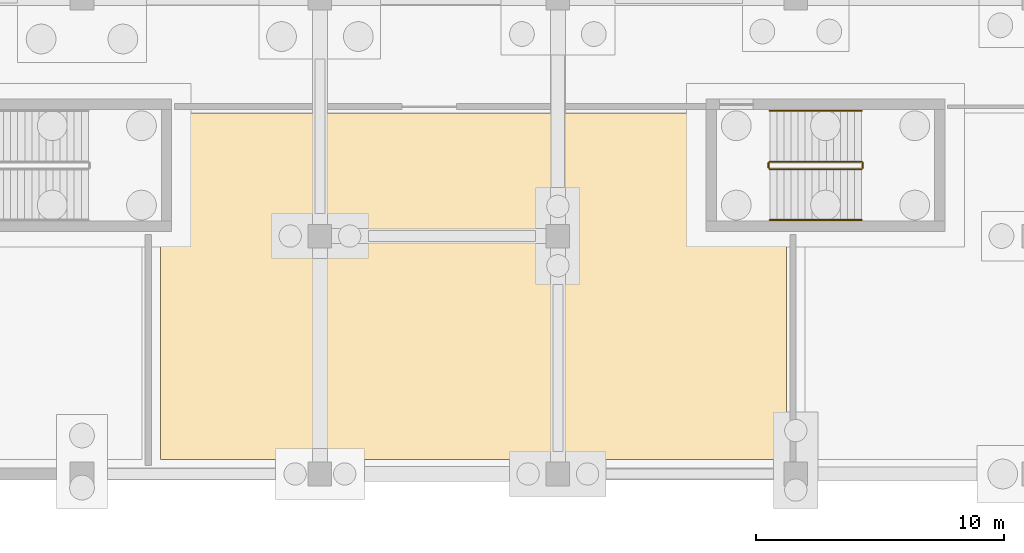
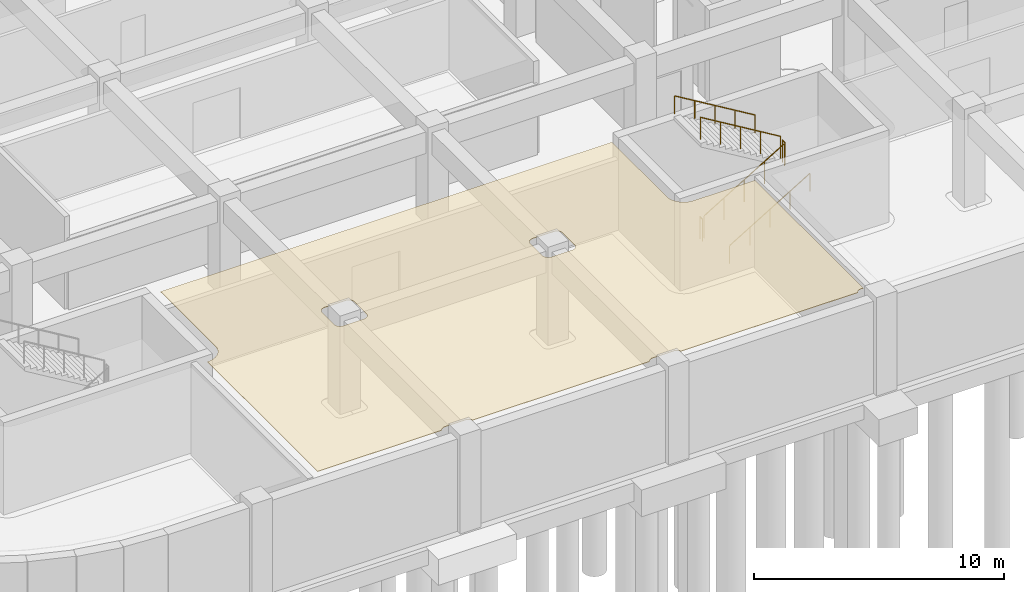
# One storey, part 24 of 47: 6 railings, 1 covering.
"""IFC4 building model written with IfcOpenShell, lengths in metres."""

from ifc_helpers import new_model, si_unit, direction, frame, origin, origin_2d, place, context, subcontext, project, spatial, polyline, circle, outline, extrude, material, layer, layer_set, type_object, element, save


model = new_model("IFC4")

# Units and contexts
model_context = context("Model", 3, precision=1e-05, world=origin(), true_north=direction((0.0, 1.0)))
body_context = subcontext(model_context, "Body", "Model", "MODEL_VIEW")
ifc_project = project(units=[si_unit("LENGTHUNIT", "METRE"), si_unit("AREAUNIT", "SQUARE_METRE"), si_unit("VOLUMEUNIT", "CUBIC_METRE"), si_unit("PLANEANGLEUNIT", "RADIAN"), si_unit("MASSUNIT", "GRAM", prefix="KILO")], contexts=[model_context])

# Site, building, storey
site_placement = place(None, origin())
site = spatial("IfcSite", under=ifc_project, at=site_placement, CompositionType="ELEMENT")
building_placement = place(site_placement, origin())
building = spatial("IfcBuilding", under=site, at=building_placement, Name="Cendralis Terraced Arcade", CompositionType="ELEMENT")
storey_placement = place(building_placement, frame((0.0, 0.0, -4.800048828125)))
storey = spatial("IfcBuildingStorey", under=building, at=storey_placement, Name="B1", CompositionType="ELEMENT", Elevation=-4.800048828125)

# Covering
ifc_material_1 = material(Name="Gypsum plasterboard acoustic partition")
ifc_layer = layer(ifc_material_1, 0.02490234375, Name="COV-CEIL-ACOU-25")
ifc_layer_set = layer_set([ifc_layer], Name="Gypsum plasterboard acoustic partition")
covering_type = type_object("IfcCoveringType", Name="COV-CEIL-ACOU-25", PredefinedType="CEILING", material=ifc_layer_set)
covering_placement = place(storey_placement, frame((0.0, 0.0, 4.47509765625)))
element("IfcCovering", 1, at=covering_placement, inside=storey, type_object=covering_type, Name="Acoustic Soffit Ceiling B1-002", PredefinedType="CEILING", context=body_context, shape_type="SweptSolid", body=[
    extrude(outline(polyline([(22.39990234375, 9.409912109375), (22.406005859375, 9.41015625), (22.412109375, 9.41015625), (22.418212890625, 9.410400390625), (22.459228515625, 9.41259765625), (22.4716796875, 9.413330078125), (22.4833984375, 9.41455078125), (22.49560546875, 9.416015625), (22.5361328125, 9.422119140625), (22.54833984375, 9.42431640625), (22.559814453125, 9.426513671875), (22.57177734375, 9.42919921875), (22.61181640625, 9.439208984375), (22.62353515625, 9.4423828125), (22.635009765625, 9.44580078125), (22.646484375, 9.44970703125), (22.685302734375, 9.463623046875), (22.69677734375, 9.468017578125), (22.707763671875, 9.472412109375), (22.718994140625, 9.4775390625), (22.756103515625, 9.4951171875), (22.76708984375, 9.50048828125), (22.777587890625, 9.506103515625), (22.7880859375, 9.51220703125), (22.823486328125, 9.533447265625), (22.833984375, 9.5400390625), (22.84375, 9.54638671875), (22.853759765625, 9.5537109375), (22.886962890625, 9.578125), (22.896484375, 9.585693359375), (22.905517578125, 9.59326171875), (22.914794921875, 9.601318359375), (22.945556640625, 9.62890625), (22.954345703125, 9.63720703125), (22.962646484375, 9.645751953125), (22.97119140625, 9.654541015625), (22.998779296875, 9.68505859375), (23.0068359375, 9.6943359375), (23.014404296875, 9.70361328125), (23.02197265625, 9.713134765625), (23.04638671875, 9.746337890625), (23.053466796875, 9.75634765625), (23.06005859375, 9.76611328125), (23.066650390625, 9.7763671875), (23.087890625, 9.811767578125), (23.09375, 9.822509765625), (23.099365234375, 9.8330078125), (23.10498046875, 9.84375), (23.12255859375, 9.881103515625), (23.12744140625, 9.892333984375), (23.132080078125, 9.9033203125), (23.136474609375, 9.91455078125), (23.150390625, 9.953369140625), (23.154052734375, 9.965087890625), (23.15771484375, 9.976318359375), (23.160888671875, 9.98828125), (23.1708984375, 10.0283203125), (23.173583984375, 10.0400390625), (23.17578125, 10.0517578125), (23.177978515625, 10.063720703125), (23.18408203125, 10.1044921875), (23.185546875, 10.11669921875), (23.1865234375, 10.12841796875), (23.1875, 10.140625), (23.189697265625, 10.181884765625), (23.189697265625, 10.18798828125), (23.18994140625, 10.19384765625), (23.18994140625, 10.199951171875), (23.18994140625, 14.570068359375), (44.010009765625, 14.570068359375), (44.010009765625, 10.199951171875), (44.010009765625, 10.19384765625), (44.01025390625, 10.18798828125), (44.010498046875, 10.181884765625), (44.012451171875, 10.140625), (44.013427734375, 10.12841796875), (44.014404296875, 10.11669921875), (44.01611328125, 10.1044921875), (44.022216796875, 10.063720703125), (44.024169921875, 10.0517578125), (44.026611328125, 10.0400390625), (44.029296875, 10.0283203125), (44.039306640625, 9.98828125), (44.04248046875, 9.976318359375), (44.0458984375, 9.965087890625), (44.0498046875, 9.953369140625), (44.063720703125, 9.91455078125), (44.068115234375, 9.9033203125), (44.072509765625, 9.892333984375), (44.077392578125, 9.881103515625), (44.09521484375, 9.84375), (44.1005859375, 9.8330078125), (44.106201171875, 9.822509765625), (44.1123046875, 9.811767578125), (44.13330078125, 9.7763671875), (44.139892578125, 9.76611328125), (44.146484375, 9.75634765625), (44.153564453125, 9.746337890625), (44.177978515625, 9.713134765625), (44.185791015625, 9.70361328125), (44.193115234375, 9.6943359375), (44.201171875, 9.68505859375), (44.22900390625, 9.654541015625), (44.2373046875, 9.645751953125), (44.24560546875, 9.63720703125), (44.25439453125, 9.62890625), (44.28515625, 9.601318359375), (44.29443359375, 9.59326171875), (44.303466796875, 9.585693359375), (44.31298828125, 9.578125), (44.34619140625, 9.5537109375), (44.356201171875, 9.54638671875), (44.3662109375, 9.5400390625), (44.37646484375, 9.533447265625), (44.411865234375, 9.51220703125), (44.422607421875, 9.506103515625), (44.432861328125, 9.50048828125), (44.44384765625, 9.4951171875), (44.481201171875, 9.4775390625), (44.4921875, 9.472412109375), (44.503173828125, 9.468017578125), (44.5146484375, 9.463623046875), (44.553466796875, 9.44970703125), (44.565185546875, 9.44580078125), (44.576416015625, 9.4423828125), (44.588134765625, 9.439208984375), (44.628173828125, 9.42919921875), (44.64013671875, 9.426513671875), (44.651611328125, 9.42431640625), (44.663818359375, 9.422119140625), (44.70458984375, 9.416015625), (44.716796875, 9.41455078125), (44.728515625, 9.413330078125), (44.74072265625, 9.41259765625), (44.78173828125, 9.410400390625), (44.7880859375, 9.41015625), (44.7939453125, 9.41015625), (44.800048828125, 9.409912109375), (47.6298828125, 9.409912109375), (47.6298828125, 0.7451171875), (47.52490234375, 0.7451171875), (47.5126953125, 0.74462890625), (47.5107421875, 0.74462890625), (47.486328125, 0.7421875), (47.484375, 0.741943359375), (47.46044921875, 0.737060546875), (47.45849609375, 0.736572265625), (47.43505859375, 0.7294921875), (47.43310546875, 0.72900390625), (47.410400390625, 0.719482421875), (47.40869140625, 0.718505859375), (47.386962890625, 0.70703125), (47.385498046875, 0.7060546875), (47.364990234375, 0.6923828125), (47.36328125, 0.69140625), (47.344482421875, 0.67578125), (47.343017578125, 0.67431640625), (47.32568359375, 0.656982421875), (47.32421875, 0.655517578125), (47.30859375, 0.63671875), (47.3076171875, 0.635009765625), (47.2939453125, 0.614501953125), (47.29296875, 0.613037109375), (47.281494140625, 0.59130859375), (47.28076171875, 0.590087890625), (39.119384765625, 0.590087890625), (39.11865234375, 0.59130859375), (39.107177734375, 0.613037109375), (39.106201171875, 0.614501953125), (39.09228515625, 0.635009765625), (39.09130859375, 0.63671875), (39.07568359375, 0.655517578125), (39.074462890625, 0.656982421875), (39.056884765625, 0.67431640625), (39.0556640625, 0.67578125), (39.03662109375, 0.69140625), (39.034912109375, 0.6923828125), (39.0146484375, 0.7060546875), (39.012939453125, 0.70703125), (38.9912109375, 0.718505859375), (38.989501953125, 0.719482421875), (38.966796875, 0.72900390625), (38.965087890625, 0.7294921875), (38.941650390625, 0.736572265625), (38.939697265625, 0.737060546875), (38.91552734375, 0.741943359375), (38.91357421875, 0.7421875), (38.88916015625, 0.74462890625), (38.88720703125, 0.74462890625), (38.875, 0.7451171875), (37.925048828125, 0.7451171875), (37.91259765625, 0.74462890625), (37.910888671875, 0.74462890625), (37.886474609375, 0.7421875), (37.884521484375, 0.741943359375), (37.8603515625, 0.737060546875), (37.8583984375, 0.736572265625), (37.8349609375, 0.7294921875), (37.8330078125, 0.72900390625), (37.810546875, 0.719482421875), (37.80859375, 0.718505859375), (37.787109375, 0.70703125), (37.785400390625, 0.7060546875), (37.764892578125, 0.6923828125), (37.763427734375, 0.69140625), (37.744384765625, 0.67578125), (37.742919921875, 0.67431640625), (37.7255859375, 0.656982421875), (37.724365234375, 0.655517578125), (37.708740234375, 0.63671875), (37.70751953125, 0.635009765625), (37.69384765625, 0.614501953125), (37.69287109375, 0.613037109375), (37.681396484375, 0.59130859375), (37.6806640625, 0.590087890625), (29.519287109375, 0.590087890625), (29.5185546875, 0.59130859375), (29.507080078125, 0.613037109375), (29.506103515625, 0.614501953125), (29.492431640625, 0.635009765625), (29.4912109375, 0.63671875), (29.4755859375, 0.655517578125), (29.474365234375, 0.656982421875), (29.45703125, 0.67431640625), (29.45556640625, 0.67578125), (29.4365234375, 0.69140625), (29.43505859375, 0.6923828125), (29.41455078125, 0.7060546875), (29.4130859375, 0.70703125), (29.391357421875, 0.718505859375), (29.389404296875, 0.719482421875), (29.366943359375, 0.72900390625), (29.364990234375, 0.7294921875), (29.341552734375, 0.736572265625), (29.339599609375, 0.737060546875), (29.315673828125, 0.741943359375), (29.313720703125, 0.7421875), (29.289306640625, 0.74462890625), (29.287353515625, 0.74462890625), (29.27490234375, 0.7451171875), (28.324951171875, 0.7451171875), (28.312744140625, 0.74462890625), (28.310791015625, 0.74462890625), (28.286376953125, 0.7421875), (28.284423828125, 0.741943359375), (28.260498046875, 0.737060546875), (28.25830078125, 0.736572265625), (28.235107421875, 0.7294921875), (28.233154296875, 0.72900390625), (28.21044921875, 0.719482421875), (28.208740234375, 0.718505859375), (28.18701171875, 0.70703125), (28.185302734375, 0.7060546875), (28.1650390625, 0.6923828125), (28.163330078125, 0.69140625), (28.144287109375, 0.67578125), (28.14306640625, 0.67431640625), (28.12548828125, 0.656982421875), (28.124267578125, 0.655517578125), (28.108642578125, 0.63671875), (28.107666015625, 0.635009765625), (28.093994140625, 0.614501953125), (28.093017578125, 0.613037109375), (28.081298828125, 0.59130859375), (28.080810546875, 0.590087890625), (22.3701171875, 0.590087890625), (22.3701171875, 9.409912109375), (22.39990234375, 9.409912109375)]), holes=[polyline([(37.80859375, 8.88134765625), (37.810546875, 8.880615234375), (37.8330078125, 8.87109375), (37.8349609375, 8.87060546875), (37.8583984375, 8.86328125), (37.8603515625, 8.86279296875), (37.884521484375, 8.858154296875), (37.886474609375, 8.85791015625), (37.910888671875, 8.85546875), (37.91259765625, 8.855224609375), (37.925048828125, 8.85498046875), (38.875, 8.85498046875), (38.88720703125, 8.855224609375), (38.88916015625, 8.85546875), (38.91357421875, 8.85791015625), (38.91552734375, 8.858154296875), (38.939697265625, 8.86279296875), (38.941650390625, 8.86328125), (38.965087890625, 8.87060546875), (38.966796875, 8.87109375), (38.989501953125, 8.880615234375), (38.9912109375, 8.88134765625), (39.012939453125, 8.892822265625), (39.0146484375, 8.893798828125), (39.034912109375, 8.90771484375), (39.03662109375, 8.90869140625), (39.0556640625, 8.92431640625), (39.056884765625, 8.925537109375), (39.074462890625, 8.943115234375), (39.07568359375, 8.9443359375), (39.09130859375, 8.96337890625), (39.09228515625, 8.965087890625), (39.106201171875, 8.9853515625), (39.107177734375, 8.987060546875), (39.11865234375, 9.0087890625), (39.119384765625, 9.010498046875), (39.12890625, 9.033203125), (39.12939453125, 9.034912109375), (39.13671875, 9.058349609375), (39.13720703125, 9.060302734375), (39.141845703125, 9.08447265625), (39.14208984375, 9.08642578125), (39.14453125, 9.11083984375), (39.144775390625, 9.11279296875), (39.14501953125, 9.125), (39.14501953125, 10.074951171875), (39.144775390625, 10.08740234375), (39.14453125, 10.089111328125), (39.14208984375, 10.113525390625), (39.141845703125, 10.115478515625), (39.13720703125, 10.1396484375), (39.13671875, 10.1416015625), (39.12939453125, 10.1650390625), (39.12890625, 10.1669921875), (39.119384765625, 10.189453125), (39.11865234375, 10.19140625), (39.107177734375, 10.212890625), (39.106201171875, 10.214599609375), (39.09228515625, 10.235107421875), (39.09130859375, 10.236572265625), (39.07568359375, 10.255615234375), (39.074462890625, 10.257080078125), (39.056884765625, 10.2744140625), (39.0556640625, 10.275634765625), (39.03662109375, 10.291259765625), (39.034912109375, 10.29248046875), (39.0146484375, 10.30615234375), (39.012939453125, 10.30712890625), (38.9912109375, 10.318603515625), (38.989501953125, 10.319580078125), (38.966796875, 10.328857421875), (38.965087890625, 10.32958984375), (38.941650390625, 10.336669921875), (38.939697265625, 10.337158203125), (38.91552734375, 10.341796875), (38.91357421875, 10.34228515625), (38.88916015625, 10.344482421875), (38.88720703125, 10.3447265625), (38.875, 10.344970703125), (37.925048828125, 10.344970703125), (37.91259765625, 10.3447265625), (37.910888671875, 10.344482421875), (37.886474609375, 10.34228515625), (37.884521484375, 10.341796875), (37.8603515625, 10.337158203125), (37.8583984375, 10.336669921875), (37.8349609375, 10.32958984375), (37.8330078125, 10.328857421875), (37.810546875, 10.319580078125), (37.80859375, 10.318603515625), (37.787109375, 10.30712890625), (37.785400390625, 10.30615234375), (37.764892578125, 10.29248046875), (37.763427734375, 10.291259765625), (37.744384765625, 10.275634765625), (37.742919921875, 10.2744140625), (37.7255859375, 10.257080078125), (37.724365234375, 10.255615234375), (37.708740234375, 10.236572265625), (37.70751953125, 10.235107421875), (37.69384765625, 10.214599609375), (37.69287109375, 10.212890625), (37.681396484375, 10.19140625), (37.680419921875, 10.189453125), (37.671142578125, 10.1669921875), (37.67041015625, 10.1650390625), (37.663330078125, 10.1416015625), (37.662841796875, 10.1396484375), (37.658203125, 10.115478515625), (37.65771484375, 10.113525390625), (37.655517578125, 10.089111328125), (37.6552734375, 10.08740234375), (37.655029296875, 10.074951171875), (37.655029296875, 9.125), (37.6552734375, 9.11279296875), (37.655517578125, 9.11083984375), (37.65771484375, 9.08642578125), (37.658203125, 9.08447265625), (37.662841796875, 9.060302734375), (37.663330078125, 9.058349609375), (37.67041015625, 9.034912109375), (37.671142578125, 9.033203125), (37.680419921875, 9.010498046875), (37.681396484375, 9.0087890625), (37.69287109375, 8.987060546875), (37.69384765625, 8.9853515625), (37.70751953125, 8.965087890625), (37.708740234375, 8.96337890625), (37.724365234375, 8.9443359375), (37.7255859375, 8.943115234375), (37.742919921875, 8.925537109375), (37.744384765625, 8.92431640625), (37.763427734375, 8.90869140625), (37.764892578125, 8.90771484375), (37.785400390625, 8.893798828125), (37.787109375, 8.892822265625), (37.80859375, 8.88134765625)]), polyline([(28.208740234375, 8.88134765625), (28.21044921875, 8.880615234375), (28.233154296875, 8.87109375), (28.235107421875, 8.87060546875), (28.25830078125, 8.86328125), (28.260498046875, 8.86279296875), (28.284423828125, 8.858154296875), (28.286376953125, 8.85791015625), (28.310791015625, 8.85546875), (28.312744140625, 8.855224609375), (28.324951171875, 8.85498046875), (29.27490234375, 8.85498046875), (29.287353515625, 8.855224609375), (29.289306640625, 8.85546875), (29.313720703125, 8.85791015625), (29.315673828125, 8.858154296875), (29.339599609375, 8.86279296875), (29.341552734375, 8.86328125), (29.364990234375, 8.87060546875), (29.366943359375, 8.87109375), (29.389404296875, 8.880615234375), (29.391357421875, 8.88134765625), (29.4130859375, 8.892822265625), (29.41455078125, 8.893798828125), (29.43505859375, 8.90771484375), (29.4365234375, 8.90869140625), (29.45556640625, 8.92431640625), (29.45703125, 8.925537109375), (29.474365234375, 8.943115234375), (29.4755859375, 8.9443359375), (29.4912109375, 8.96337890625), (29.492431640625, 8.965087890625), (29.506103515625, 8.9853515625), (29.507080078125, 8.987060546875), (29.5185546875, 9.0087890625), (29.51953125, 9.010498046875), (29.52880859375, 9.033203125), (29.529541015625, 9.034912109375), (29.53662109375, 9.058349609375), (29.537109375, 9.060302734375), (29.5419921875, 9.08447265625), (29.542236328125, 9.08642578125), (29.544677734375, 9.11083984375), (29.544677734375, 9.11279296875), (29.544921875, 9.125), (29.544921875, 10.074951171875), (29.544677734375, 10.08740234375), (29.544677734375, 10.089111328125), (29.542236328125, 10.113525390625), (29.5419921875, 10.115478515625), (29.537109375, 10.1396484375), (29.53662109375, 10.1416015625), (29.529541015625, 10.1650390625), (29.52880859375, 10.1669921875), (29.51953125, 10.189453125), (29.5185546875, 10.19140625), (29.507080078125, 10.212890625), (29.506103515625, 10.214599609375), (29.492431640625, 10.235107421875), (29.4912109375, 10.236572265625), (29.4755859375, 10.255615234375), (29.474365234375, 10.257080078125), (29.45703125, 10.2744140625), (29.45556640625, 10.275634765625), (29.4365234375, 10.291259765625), (29.43505859375, 10.29248046875), (29.41455078125, 10.30615234375), (29.4130859375, 10.30712890625), (29.391357421875, 10.318603515625), (29.389404296875, 10.319580078125), (29.366943359375, 10.328857421875), (29.364990234375, 10.32958984375), (29.341552734375, 10.336669921875), (29.339599609375, 10.337158203125), (29.315673828125, 10.341796875), (29.313720703125, 10.34228515625), (29.289306640625, 10.344482421875), (29.287353515625, 10.3447265625), (29.27490234375, 10.344970703125), (28.324951171875, 10.344970703125), (28.312744140625, 10.3447265625), (28.310791015625, 10.344482421875), (28.286376953125, 10.34228515625), (28.284423828125, 10.341796875), (28.260498046875, 10.337158203125), (28.25830078125, 10.336669921875), (28.235107421875, 10.32958984375), (28.233154296875, 10.328857421875), (28.21044921875, 10.319580078125), (28.208740234375, 10.318603515625), (28.18701171875, 10.30712890625), (28.185302734375, 10.30615234375), (28.1650390625, 10.29248046875), (28.163330078125, 10.291259765625), (28.144287109375, 10.275634765625), (28.14306640625, 10.2744140625), (28.12548828125, 10.257080078125), (28.124267578125, 10.255615234375), (28.108642578125, 10.236572265625), (28.107666015625, 10.235107421875), (28.093994140625, 10.214599609375), (28.093017578125, 10.212890625), (28.081298828125, 10.19140625), (28.08056640625, 10.189453125), (28.071044921875, 10.1669921875), (28.070556640625, 10.1650390625), (28.0634765625, 10.1416015625), (28.06298828125, 10.1396484375), (28.05810546875, 10.115478515625), (28.057861328125, 10.113525390625), (28.055419921875, 10.089111328125), (28.055419921875, 10.08740234375), (28.054931640625, 10.074951171875), (28.054931640625, 9.125), (28.055419921875, 9.11279296875), (28.055419921875, 9.11083984375), (28.057861328125, 9.08642578125), (28.05810546875, 9.08447265625), (28.06298828125, 9.060302734375), (28.0634765625, 9.058349609375), (28.070556640625, 9.034912109375), (28.071044921875, 9.033203125), (28.08056640625, 9.010498046875), (28.081298828125, 9.0087890625), (28.093017578125, 8.987060546875), (28.093994140625, 8.9853515625), (28.107666015625, 8.965087890625), (28.108642578125, 8.96337890625), (28.124267578125, 8.9443359375), (28.12548828125, 8.943115234375), (28.14306640625, 8.925537109375), (28.144287109375, 8.92431640625), (28.163330078125, 8.90869140625), (28.1650390625, 8.90771484375), (28.185302734375, 8.893798828125), (28.18701171875, 8.892822265625), (28.208740234375, 8.88134765625)])]), origin(), (0.0, 0.0, 1.0), 0.02490234375),
])

# Railings
ifc_material_2 = material(Name="Brushed stainless steel AISI 316", Category="steel")
railing_type_1 = type_object("IfcRailingType", Name="RL-STAIR-GUARD-1100", PredefinedType="GUARDRAIL", material=ifc_material_2)
railing_1_placement = place(storey_placement, frame((46.949951171875, 12.300048828125, 0.17138671875)))
element("IfcRailing", 2, at=railing_1_placement, inside=storey, type_object=railing_type_1, Name="B1 ST-03 stair guard 1", PredefinedType="GUARDRAIL", context=body_context, shape_type="SweptSolid", body=[
    extrude(circle(Radius=0.02392578125, at=origin_2d()), frame((0.0, 0.0, 1.076171875), z_axis=(0.856909459561, 0.0, 0.515466951525), x_axis=(0.0, 1.0, 0.0)), (0.0, 0.0, 1.0), 4.32373046875),
    extrude(circle(Radius=0.02099609375, at=origin_2d()), origin(), (0.0, 0.0, 1.0), 1.052001953125),
    extrude(circle(Radius=0.02099609375, at=origin_2d()), frame((0.92626953125, 0.0, 0.55712890625)), (0.0, 0.0, 1.0), 1.052001953125),
    extrude(circle(Radius=0.02099609375, at=origin_2d()), frame((1.8525390625, 0.0, 1.1142578125)), (0.0, 0.0, 1.0), 1.052001953125),
    extrude(circle(Radius=0.02099609375, at=origin_2d()), frame((2.77880859375, 0.0, 1.671630859375)), (0.0, 0.0, 1.0), 1.052001953125),
    extrude(circle(Radius=0.02099609375, at=origin_2d()), frame((3.705078125, 0.0, 2.228759765625)), (0.0, 0.0, 1.0), 1.052001953125),
])
railing_2_placement = place(storey_placement, frame((50.705078125, 12.35009765625, 2.400146484375)))
element("IfcRailing", 3, at=railing_2_placement, inside=storey, type_object=railing_type_1, Name="B1 ST-03 stair guard 2", PredefinedType="GUARDRAIL", context=body_context, shape_type="SweptSolid", body=[
    extrude(circle(Radius=0.02392578125, at=origin_2d()), frame((0.0, 0.0, 1.076171875), z_axis=(0.0, 1.0, 0.0), x_axis=(-1.0, 0.0, 0.0)), (0.0, 0.0, 1.0), 0.199951171875),
    extrude(circle(Radius=0.02099609375, at=origin_2d()), origin(), (0.0, 0.0, 1.0), 1.052001953125),
    extrude(circle(Radius=0.02099609375, at=origin_2d()), frame((0.0, 0.199951171875, 0.0)), (0.0, 0.0, 1.0), 1.052001953125),
])
railing_3_placement = place(storey_placement, frame((50.655029296875, 12.60009765625, 2.571533203125)))
element("IfcRailing", 4, at=railing_3_placement, inside=storey, type_object=railing_type_1, Name="B1 ST-03 stair guard 3", PredefinedType="GUARDRAIL", context=body_context, shape_type="SweptSolid", body=[
    extrude(circle(Radius=0.02392578125, at=origin_2d()), frame((0.0, 0.0, 1.076171875), z_axis=(-0.856934400257, 0.0, 0.515425487977), x_axis=(0.0, -1.0, 0.0)), (0.0, 0.0, 1.0), 4.32373046875),
    extrude(circle(Radius=0.02099609375, at=origin_2d()), origin(), (0.0, 0.0, 1.0), 1.052001953125),
    extrude(circle(Radius=0.02099609375, at=origin_2d()), frame((-0.92626953125, 0.0, 0.55712890625)), (0.0, 0.0, 1.0), 1.052001953125),
    extrude(circle(Radius=0.02099609375, at=origin_2d()), frame((-1.8525390625, 0.0, 1.1142578125)), (0.0, 0.0, 1.0), 1.052001953125),
    extrude(circle(Radius=0.02099609375, at=origin_2d()), frame((-2.77880859375, 0.0, 1.67138671875)), (0.0, 0.0, 1.0), 1.052001953125),
    extrude(circle(Radius=0.02099609375, at=origin_2d()), frame((-3.705078125, 0.0, 2.228515625)), (0.0, 0.0, 1.0), 1.052001953125),
])
railing_4_placement = place(storey_placement, frame((46.89990234375, 12.35009765625, 0.0)))
element("IfcRailing", 5, at=railing_4_placement, inside=storey, type_object=railing_type_1, Name="B1 ST-03 stair guard 4", PredefinedType="GUARDRAIL", context=body_context, shape_type="SweptSolid", body=[
    extrude(circle(Radius=0.02392578125, at=origin_2d()), frame((0.0, 0.0, 1.076171875), z_axis=(0.0, 1.0, 0.0), x_axis=(-1.0, 0.0, 0.0)), (0.0, 0.0, 1.0), 0.199951171875),
    extrude(circle(Radius=0.02099609375, at=origin_2d()), origin(), (0.0, 0.0, 1.0), 1.052001953125),
    extrude(circle(Radius=0.02099609375, at=origin_2d()), frame((0.0, 0.199951171875, 0.0)), (0.0, 0.0, 1.0), 1.052001953125),
])
railing_type_2 = type_object("IfcRailingType", Name="RL-STAIR-HAND-900", PredefinedType="HANDRAIL", material=ifc_material_2)
railing_5_placement = place(storey_placement, frame((46.949951171875, 10.25, 0.17138671875)))
element("IfcRailing", 6, at=railing_5_placement, inside=storey, type_object=railing_type_2, Name="B1 ST-03 stair handrail 1", PredefinedType="HANDRAIL", context=body_context, shape_type="SweptSolid", body=[
    extrude(circle(Radius=0.02392578125, at=origin_2d()), frame((0.0, 0.0, 0.8759765625), z_axis=(0.856909459561, 0.0, 0.515466951525), x_axis=(0.0, 1.0, 0.0)), (0.0, 0.0, 1.0), 4.32373046875),
    extrude(circle(Radius=0.02099609375, at=origin_2d()), origin(), (0.0, 0.0, 1.0), 0.851806640625),
    extrude(circle(Radius=0.02099609375, at=origin_2d()), frame((0.92626953125, 0.0, 0.55712890625)), (0.0, 0.0, 1.0), 0.851806640625),
    extrude(circle(Radius=0.02099609375, at=origin_2d()), frame((1.8525390625, 0.0, 1.1142578125)), (0.0, 0.0, 1.0), 0.851806640625),
    extrude(circle(Radius=0.02099609375, at=origin_2d()), frame((2.77880859375, 0.0, 1.671630859375)), (0.0, 0.0, 1.0), 0.851806640625),
    extrude(circle(Radius=0.02099609375, at=origin_2d()), frame((3.705078125, 0.0, 2.228759765625)), (0.0, 0.0, 1.0), 0.851806640625),
])
railing_6_placement = place(storey_placement, frame((50.655029296875, 14.64990234375, 2.571533203125)))
element("IfcRailing", 7, at=railing_6_placement, inside=storey, type_object=railing_type_2, Name="B1 ST-03 stair handrail 2", PredefinedType="HANDRAIL", context=body_context, shape_type="SweptSolid", body=[
    extrude(circle(Radius=0.02392578125, at=origin_2d()), frame((0.0, 0.0, 0.8759765625), z_axis=(-0.856934400257, 0.0, 0.515425487977), x_axis=(0.0, -1.0, 0.0)), (0.0, 0.0, 1.0), 4.32373046875),
    extrude(circle(Radius=0.02099609375, at=origin_2d()), origin(), (0.0, 0.0, 1.0), 0.851806640625),
    extrude(circle(Radius=0.02099609375, at=origin_2d()), frame((-0.92626953125, 0.0, 0.55712890625)), (0.0, 0.0, 1.0), 0.851806640625),
    extrude(circle(Radius=0.02099609375, at=origin_2d()), frame((-1.8525390625, 0.0, 1.1142578125)), (0.0, 0.0, 1.0), 0.851806640625),
    extrude(circle(Radius=0.02099609375, at=origin_2d()), frame((-2.77880859375, 0.0, 1.67138671875)), (0.0, 0.0, 1.0), 0.851806640625),
    extrude(circle(Radius=0.02099609375, at=origin_2d()), frame((-3.705078125, 0.0, 2.228515625)), (0.0, 0.0, 1.0), 0.851806640625),
])

save(model, "model.ifc")
